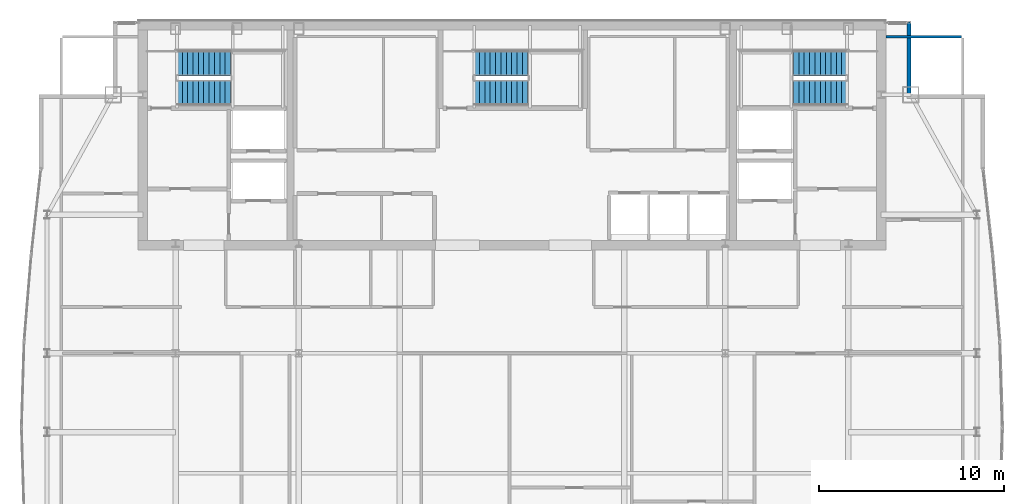
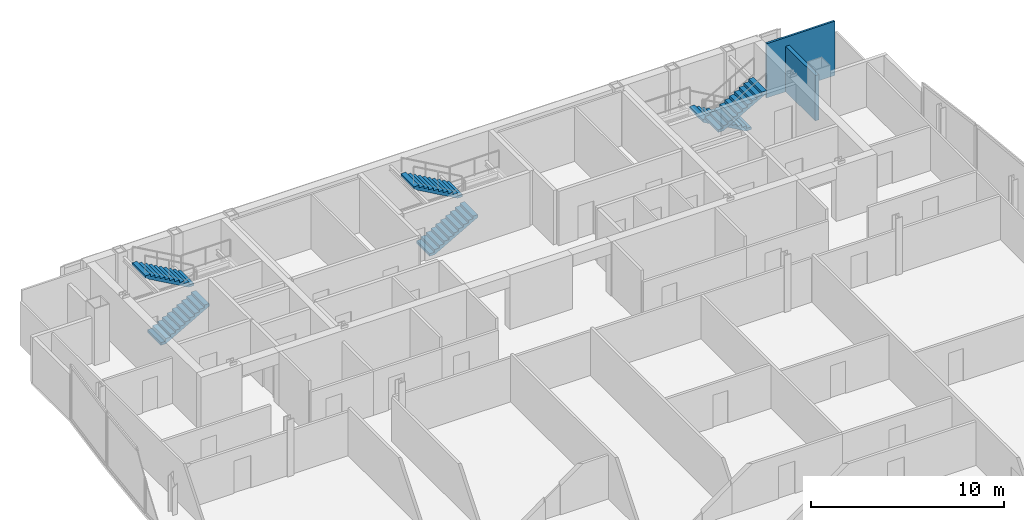
# One storey, part 23 of 25: 6 stair flights, 2 walls, 3 elements without a shape of their own.
"""IFC4 building model written with IfcOpenShell, lengths in metres."""

import ifcopenshell
import ifcopenshell.guid

model = None  # the IFC model being written
_history = None  # IfcOwnerHistory: only IFC2X3 demands one
_inside = {}  # id of a spatial element -> (the spatial element, [elements in it])
_under = {}  # id of a project, library or spatial element -> (it, [spatial elements below it])
_declared = {}  # id of a project -> (the project, [libraries it declares])
_typed = {}  # id of a type object -> (the type object, [elements of that type])
_made_of = {}  # id of a material, layer set ... -> (it, [elements and type objects made of it])


def new_model(schema):
    """Start an empty IFC model of exactly this schema.

    Asked for "IFC4X3", IfcOpenShell would pick the latest addendum, in which some entities
    have other attributes; the version numbers below select the first issue.
    IFC2X3 requires an IfcOwnerHistory on every rooted entity: one is made here for all.
    """
    global model, _history
    if schema == "IFC4X3":
        model = ifcopenshell.file(schema_version=(4, 3, 0, 0))
    else:
        model = ifcopenshell.file(schema=schema)
    _inside.clear()
    _under.clear()
    _declared.clear()
    _typed.clear()
    _made_of.clear()
    _history = None
    if model.schema == "IFC2X3":
        org = make("IfcOrganization", Name="unknown")
        user = make(
            "IfcPersonAndOrganization",
            ThePerson=make("IfcPerson", FamilyName="unknown"),
            TheOrganization=org,
        )
        app = make(
            "IfcApplication",
            ApplicationDeveloper=org,
            Version="unknown",
            ApplicationFullName="unknown",
            ApplicationIdentifier="unknown",
        )
        _history = make(
            "IfcOwnerHistory",
            OwningUser=user,
            OwningApplication=app,
            ChangeAction="ADDED",
            CreationDate=0,
        )
    return model


def make(cls, **values):
    """One entity of the class cls with the attributes given. An attribute that is None is left unset."""
    return model.create_entity(
        cls, **{name: value for name, value in values.items() if value is not None}
    )


def rooted(cls, **values):
    """An entity with a GlobalId (a new one), such as an element, a storey or a relation."""
    return make(cls, GlobalId=ifcopenshell.guid.new(), OwnerHistory=_history, **values)


def si_unit(unit_type, name, prefix=None):
    """IfcSIUnit, for example si_unit("LENGTHUNIT", "METRE", prefix="MILLI")."""
    return make("IfcSIUnit", UnitType=unit_type, Prefix=prefix, Name=name)


def assignment(units):
    """IfcUnitAssignment: the units of a project."""
    return None if units is None else make("IfcUnitAssignment", Units=units)


def point(xyz):
    """IfcCartesianPoint."""
    return None if xyz is None else make("IfcCartesianPoint", Coordinates=xyz)


def direction(xyz):
    """IfcDirection."""
    return None if xyz is None else make("IfcDirection", DirectionRatios=xyz)


def frame(location, z_axis=None, x_axis=None):
    """IfcAxis2Placement3D, a coordinate frame: its origin and axes. An axis left out is left unset."""
    return make(
        "IfcAxis2Placement3D",
        Location=point(location),
        Axis=direction(z_axis),
        RefDirection=direction(x_axis),
    )


def frame_2d(location, x_axis=None):
    """IfcAxis2Placement2D, a coordinate frame in the plane: its origin and x axis."""
    return make(
        "IfcAxis2Placement2D", Location=point(location), RefDirection=direction(x_axis)
    )


def origin():
    """The frame at (0, 0, 0) with its axes left unset."""
    return frame((0.0, 0.0, 0.0))


def place(relative_to, where):
    """IfcLocalPlacement: puts the frame where relative to a parent placement (None: the world)."""
    return make(
        "IfcLocalPlacement", PlacementRelTo=relative_to, RelativePlacement=where
    )


def context(
    kind, dimensions, precision=None, world=None, true_north=None, identifier=None
):
    """IfcGeometricRepresentationContext, for example the 3D "Model" context."""
    return make(
        "IfcGeometricRepresentationContext",
        ContextIdentifier=identifier,
        ContextType=kind,
        CoordinateSpaceDimension=dimensions,
        Precision=precision,
        WorldCoordinateSystem=world,
        TrueNorth=true_north,
    )


def subcontext(parent, identifier, kind, view, scale=None):
    """IfcGeometricRepresentationSubContext, for example "Body" below "Model"."""
    return make(
        "IfcGeometricRepresentationSubContext",
        ContextIdentifier=identifier,
        ContextType=kind,
        ParentContext=parent,
        TargetScale=scale,
        TargetView=view,
    )


def project(units=None, contexts=None):
    """IfcProject with its units and contexts."""
    return rooted(
        "IfcProject",
        Name="project",
        RepresentationContexts=contexts,
        UnitsInContext=assignment(units),
    )


def spatial(cls, under=None, at=None, **own):
    """A site, building, storey or space (cls), placed at a placement, below another one or the project."""
    s = rooted(cls, ObjectPlacement=at, **own)
    if under is not None:
        _under.setdefault(under.id(), (under, []))[1].append(s)
    return s


def polyline(points):
    """IfcPolyline through the points."""
    return make("IfcPolyline", Points=[point(p) for p in points])


def profile(cls, at=None, kind="AREA", **sizes):
    """A parametric profile (cls). Its sizes go by their IFC names, for example OverallWidth=200.0."""
    return make(cls, ProfileType=kind, Position=at, **sizes)


def rectangle(**sizes):
    """IfcRectangleProfileDef."""
    return profile("IfcRectangleProfileDef", **sizes)


def outline(outer, holes=None, kind="AREA"):
    """IfcArbitraryClosedProfileDef: a profile drawn as a closed curve; with holes, ...WithVoids."""
    if holes is None:
        return make("IfcArbitraryClosedProfileDef", ProfileType=kind, OuterCurve=outer)
    return make(
        "IfcArbitraryProfileDefWithVoids",
        ProfileType=kind,
        OuterCurve=outer,
        InnerCurves=holes,
    )


def extrude(swept, where, along, depth):
    """IfcExtrudedAreaSolid: the profile swept, set in the frame where, extruded along a direction by depth."""
    return make(
        "IfcExtrudedAreaSolid",
        SweptArea=swept,
        Position=where,
        ExtrudedDirection=direction(along),
        Depth=depth,
    )


def shape(context_of_items, identifier, shape_type, items):
    """IfcShapeRepresentation: the items that make up one representation, for example the "Body"."""
    return make(
        "IfcShapeRepresentation",
        ContextOfItems=context_of_items,
        RepresentationIdentifier=identifier,
        RepresentationType=shape_type,
        Items=items,
    )


def material(Name=None, Category=None):
    """IfcMaterial."""
    return make("IfcMaterial", Name=Name, Category=Category)


def layer(
    of_material, thickness, ventilated=None, Name=None, Category=None, Priority=None
):
    """IfcMaterialLayer: one layer of a wall or slab, of a material (None: an air gap)."""
    return make(
        "IfcMaterialLayer",
        Material=of_material,
        LayerThickness=thickness,
        IsVentilated=ventilated,
        Name=Name,
        Category=Category,
        Priority=Priority,
    )


def layer_set(layers, Name=None):
    """IfcMaterialLayerSet."""
    return make("IfcMaterialLayerSet", MaterialLayers=layers, LayerSetName=Name)


def made_of(thing, what):
    """Note that an element or type object is made of a material, layer set ...; save() writes the relation."""
    if what is not None:
        _made_of.setdefault(what.id(), (what, []))[1].append(thing)
    return thing


def type_object(cls, material=None, **own):
    """A type object (cls), such as IfcWallType, which elements share."""
    return made_of(rooted(cls, **own), material)


def element(
    cls,
    number,
    at=None,
    inside=None,
    cuts=None,
    type_object=None,
    material=None,
    context=None,
    identifier="Body",
    shape_type=None,
    held_by="IfcProductDefinitionShape",
    body=None,
    shapes=None,
    **own,
):
    """One element of the class cls, such as IfcWall. Its Tag is "e" and its number.

    at: its placement. inside: the storey or other place that contains it. cuts: it is an
    opening in that element (IfcRelVoidsElement). A single representation is given by context,
    identifier, shape_type and body (its items); several are given by shapes. held_by: the class
    of the entity that holds the representations. save() writes the other relations.
    """
    e = rooted(cls, Tag="e%d" % number, ObjectPlacement=at, **own)
    if body is not None:
        shapes = [shape(context, identifier, shape_type, body)]
    if shapes is not None:
        e.Representation = make(held_by, Representations=shapes)
    if inside is not None:
        _inside.setdefault(inside.id(), (inside, []))[1].append(e)
    if cuts is not None:
        rooted(
            "IfcRelVoidsElement", RelatingBuildingElement=cuts, RelatedOpeningElement=e
        )
    if type_object is not None:
        _typed.setdefault(type_object.id(), (type_object, []))[1].append(e)
    return made_of(e, material)


def aggregate(whole, parts):
    """IfcRelAggregates: a whole, such as a stair, and the parts it consists of."""
    return rooted("IfcRelAggregates", RelatingObject=whole, RelatedObjects=parts)


def save(model, path):
    """Write the relations noted so far, then the file.

    IfcRelAggregates (storeys below a building ...), IfcRelContainedInSpatialStructure (elements
    in a storey), IfcRelDefinesByType, IfcRelAssociatesMaterial and IfcRelDeclares: one each for
    every whole, place, type object, material and project.
    """
    for whole, parts in _under.values():
        aggregate(whole, parts)
    for where, things in _inside.values():
        rooted(
            "IfcRelContainedInSpatialStructure",
            RelatedElements=things,
            RelatingStructure=where,
        )
    for kind, things in _typed.values():
        rooted("IfcRelDefinesByType", RelatedObjects=things, RelatingType=kind)
    for what, things in _made_of.values():
        rooted("IfcRelAssociatesMaterial", RelatedObjects=things, RelatingMaterial=what)
    for by, libraries in _declared.values():
        rooted("IfcRelDeclares", RelatingContext=by, RelatedDefinitions=libraries)
    model.write(path)


model = new_model("IFC4")

# Units and contexts
model_context = context("Model", 3, precision=1e-05, world=origin(), true_north=direction((0.0, 1.0)))
body_context = subcontext(model_context, "Body", "Model", "MODEL_VIEW")
ifc_project = project(units=[si_unit("LENGTHUNIT", "METRE"), si_unit("AREAUNIT", "SQUARE_METRE"), si_unit("VOLUMEUNIT", "CUBIC_METRE"), si_unit("PLANEANGLEUNIT", "RADIAN"), si_unit("MASSUNIT", "GRAM", prefix="KILO")], contexts=[model_context])

# Site, building, storey
site_placement = place(None, origin())
site = spatial("IfcSite", under=ifc_project, at=site_placement, CompositionType="ELEMENT")
building_placement = place(site_placement, origin())
building = spatial("IfcBuilding", under=site, at=building_placement, Name="Khoronbel Lancet Exchange", CompositionType="ELEMENT")
storey_placement = place(building_placement, frame((0.0, 0.0, 295.0)))
storey = spatial("IfcBuildingStorey", under=building, at=storey_placement, Name="L76", CompositionType="ELEMENT", Elevation=295.0)

# Walls
ifc_material_1 = material(Name="Precast concrete C40/50", Category="concrete")
ifc_layer_1 = layer(ifc_material_1, 0.25, Name="Precast concrete C40/50")
ifc_layer_set_1 = layer_set([ifc_layer_1], Name="Precast concrete C40/50")
wall_type_1 = type_object("IfcWallType", Name="WL-EXT250", PredefinedType="SOLIDWALL", material=ifc_layer_set_1)
wall_1_placement = place(storey_placement, frame((57.9599609375, 53.6298828125, 0.0), z_axis=(0.0, 0.0, 1.0), x_axis=(0.0, -1.0, 0.0)))
element("IfcWall", 1, at=wall_1_placement, inside=storey, type_object=wall_type_1, Name="Level L76 notched-corner limestone pier 14", PredefinedType="SOLIDWALL", context=body_context, shape_type="SweptSolid", body=[
    extrude(rectangle(XDim=3.909912109375, YDim=0.219970703125, at=frame_2d((1.955078125, 0.0))), origin(), (0.0, 0.0, 1.0), 2.8798828125),
])
ifc_material_2 = material(Name="Acoustic Metal-Stud & Mineral-Wool Gypsum Partition 120 mm", Category="gypsum")
ifc_layer_2 = layer(ifc_material_2, 0.1201171875, Name="Acoustic Metal-Stud & Mineral-Wool Gypsum Partition 120 mm")
ifc_layer_set_2 = layer_set([ifc_layer_2], Name="Acoustic Metal-Stud & Mineral-Wool Gypsum Partition 120 mm")
wall_type_2 = type_object("IfcWallType", Name="WL-PRT120", PredefinedType="PARTITIONING", material=ifc_layer_set_2)
wall_2_placement = place(storey_placement, frame((56.699951171875, 52.840087890625, 0.0), z_axis=(0.0, 0.0, 1.0), x_axis=(1.0, 0.0, 0.0)))
element("IfcWall", 2, at=wall_2_placement, inside=storey, type_object=wall_type_2, Name="Level L76 interior partition PW-LIN-NE", PredefinedType="PARTITIONING", context=body_context, shape_type="SweptSolid", body=[
    extrude(rectangle(XDim=4.10498046875, YDim=0.1201171875, at=frame_2d((2.052490234375, 0.0))), origin(), (0.0, 0.0, 1.0), 3.43994140625),
])

# Stair, stair flights
ifc_material_3 = material(Name="Concrete C40/50", Category="concrete")
stair_type = type_object("IfcStairType", Name="STR-CORE150", PredefinedType="HALF_TURN_STAIR", material=ifc_material_3)
stair_1_placement = place(storey_placement, origin())
stair_1 = element("IfcStair", 3, at=stair_1_placement, inside=storey, type_object=stair_type, Name="L76 Protected Exit Stair ST1", PredefinedType="HALF_TURN_STAIR")
stair_flight_type = type_object("IfcStairFlightType", Name="STF-150", PredefinedType="STRAIGHT", material=ifc_material_3)
stair_flight_1_placement = place(storey_placement, frame((18.300048828125, 49.81005859375, 0.0), z_axis=(0.0, 0.0, 1.0), x_axis=(1.0, 0.0, 0.0)))
stair_flight_1 = element("IfcStairFlight", 4, at=stair_flight_1_placement, type_object=stair_flight_type, Name="ST1 flight 1", NumberOfRisers=11, NumberOfTreads=10, PredefinedType="STRAIGHT", RiserHeight=0.163636364, TreadLength=0.29, context=body_context, shape_type="SweptSolid", body=[
    extrude(outline(polyline([(0.0, 0.0), (0.0, 0.16357421875), (0.2900390625, 0.16357421875), (0.2900390625, 0.327392578125), (0.580078125, 0.327392578125), (0.580078125, 0.490966796875), (0.8701171875, 0.490966796875), (0.8701171875, 0.654541015625), (1.159912109375, 0.654541015625), (1.159912109375, 0.818115234375), (1.449951171875, 0.818115234375), (1.449951171875, 0.98193359375), (1.739990234375, 0.98193359375), (1.739990234375, 1.1455078125), (2.030029296875, 1.1455078125), (2.030029296875, 1.30908203125), (2.320068359375, 1.30908203125), (2.320068359375, 1.47265625), (2.610107421875, 1.47265625), (2.610107421875, 1.636474609375), (2.89990234375, 1.636474609375), (2.89990234375, 1.800048828125), (2.89990234375, 1.46435546875), (0.304931640625, 0.0), (0.0, 0.0)])), frame((0.0, 0.68994140625, 0.0), z_axis=(0.0, -1.0, 0.0), x_axis=(1.0, 0.0, 0.0)), (0.0, 0.0, 1.0), 1.3798828125),
])
stair_flight_2_placement = place(storey_placement, frame((21.199951171875, 51.409912109375, 1.800048828125), z_axis=(0.0, 0.0, 1.0), x_axis=(-1.0, 0.0, 0.0)))
stair_flight_2 = element("IfcStairFlight", 5, at=stair_flight_2_placement, type_object=stair_flight_type, Name="ST1 flight 2", NumberOfRisers=11, NumberOfTreads=10, PredefinedType="STRAIGHT", RiserHeight=0.163636364, TreadLength=0.29, context=body_context, shape_type="SweptSolid", body=[
    extrude(outline(polyline([(0.0, 0.0), (0.0, 0.16357421875), (0.2900390625, 0.16357421875), (0.2900390625, 0.327392578125), (0.580078125, 0.327392578125), (0.580078125, 0.490966796875), (0.8701171875, 0.490966796875), (0.8701171875, 0.654541015625), (1.159912109375, 0.654541015625), (1.159912109375, 0.818115234375), (1.449951171875, 0.818115234375), (1.449951171875, 0.98193359375), (1.739990234375, 0.98193359375), (1.739990234375, 1.1455078125), (2.030029296875, 1.1455078125), (2.030029296875, 1.30908203125), (2.320068359375, 1.30908203125), (2.320068359375, 1.47265625), (2.610107421875, 1.47265625), (2.610107421875, 1.636474609375), (2.89990234375, 1.636474609375), (2.89990234375, 1.800048828125), (2.89990234375, 1.46435546875), (0.304931640625, 0.0), (0.0, 0.0)])), frame((0.0, 0.68994140625, 0.0), z_axis=(0.0, -1.0, 0.0), x_axis=(1.0, 0.0, 0.0)), (0.0, 0.0, 1.0), 1.3798828125),
])
aggregate(stair_1, [stair_flight_1, stair_flight_2])

stair_2_placement = place(storey_placement, origin())
stair_2 = element("IfcStair", 6, at=stair_2_placement, inside=storey, type_object=stair_type, Name="L76 Protected Exit Stair ST2", PredefinedType="HALF_TURN_STAIR")
stair_flight_3_placement = place(storey_placement, frame((54.60009765625, 51.409912109375, 0.0), z_axis=(0.0, 0.0, 1.0), x_axis=(-1.0, 0.0, 0.0)))
stair_flight_3 = element("IfcStairFlight", 7, at=stair_flight_3_placement, type_object=stair_flight_type, Name="ST2 flight 1", NumberOfRisers=11, NumberOfTreads=10, PredefinedType="STRAIGHT", RiserHeight=0.163636364, TreadLength=0.29, context=body_context, shape_type="SweptSolid", body=[
    extrude(outline(polyline([(0.0, 0.0), (0.0, 0.16357421875), (0.2900390625, 0.16357421875), (0.2900390625, 0.327392578125), (0.580078125, 0.327392578125), (0.580078125, 0.490966796875), (0.8701171875, 0.490966796875), (0.8701171875, 0.654541015625), (1.159912109375, 0.654541015625), (1.159912109375, 0.818115234375), (1.449951171875, 0.818115234375), (1.449951171875, 0.98193359375), (1.739990234375, 0.98193359375), (1.739990234375, 1.1455078125), (2.030029296875, 1.1455078125), (2.030029296875, 1.30908203125), (2.320068359375, 1.30908203125), (2.320068359375, 1.47265625), (2.610107421875, 1.47265625), (2.610107421875, 1.636474609375), (2.89990234375, 1.636474609375), (2.89990234375, 1.800048828125), (2.89990234375, 1.46435546875), (0.304931640625, 0.0), (0.0, 0.0)])), frame((0.0, 0.68994140625, 0.0), z_axis=(0.0, -1.0, 0.0), x_axis=(1.0, 0.0, 0.0)), (0.0, 0.0, 1.0), 1.3798828125),
])
stair_flight_4_placement = place(storey_placement, frame((51.699951171875, 49.81005859375, 1.800048828125), z_axis=(0.0, 0.0, 1.0), x_axis=(1.0, 0.0, 0.0)))
stair_flight_4 = element("IfcStairFlight", 8, at=stair_flight_4_placement, type_object=stair_flight_type, Name="ST2 flight 2", NumberOfRisers=11, NumberOfTreads=10, PredefinedType="STRAIGHT", RiserHeight=0.163636364, TreadLength=0.29, context=body_context, shape_type="SweptSolid", body=[
    extrude(outline(polyline([(0.0, 0.0), (0.0, 0.16357421875), (0.2900390625, 0.16357421875), (0.2900390625, 0.327392578125), (0.580078125, 0.327392578125), (0.580078125, 0.490966796875), (0.8701171875, 0.490966796875), (0.8701171875, 0.654541015625), (1.159912109375, 0.654541015625), (1.159912109375, 0.818115234375), (1.449951171875, 0.818115234375), (1.449951171875, 0.98193359375), (1.739990234375, 0.98193359375), (1.739990234375, 1.1455078125), (2.030029296875, 1.1455078125), (2.030029296875, 1.30908203125), (2.320068359375, 1.30908203125), (2.320068359375, 1.47265625), (2.610107421875, 1.47265625), (2.610107421875, 1.636474609375), (2.89990234375, 1.636474609375), (2.89990234375, 1.800048828125), (2.89990234375, 1.46435546875), (0.304931640625, 0.0), (0.0, 0.0)])), frame((0.0, 0.68994140625, 0.0), z_axis=(0.0, -1.0, 0.0), x_axis=(1.0, 0.0, 0.0)), (0.0, 0.0, 1.0), 1.3798828125),
])
aggregate(stair_2, [stair_flight_3, stair_flight_4])

stair_3_placement = place(storey_placement, origin())
stair_3 = element("IfcStair", 9, at=stair_3_placement, inside=storey, type_object=stair_type, Name="L76 Protected Exit Stair ST3", PredefinedType="HALF_TURN_STAIR")
stair_flight_5_placement = place(storey_placement, frame((34.39990234375, 49.81005859375, 0.0), z_axis=(0.0, 0.0, 1.0), x_axis=(1.0, 0.0, 0.0)))
stair_flight_5 = element("IfcStairFlight", 10, at=stair_flight_5_placement, type_object=stair_flight_type, Name="ST3 flight 1", NumberOfRisers=11, NumberOfTreads=10, PredefinedType="STRAIGHT", RiserHeight=0.163636364, TreadLength=0.29, context=body_context, shape_type="SweptSolid", body=[
    extrude(outline(polyline([(0.0, 0.0), (0.0, 0.16357421875), (0.2900390625, 0.16357421875), (0.2900390625, 0.327392578125), (0.580078125, 0.327392578125), (0.580078125, 0.490966796875), (0.8701171875, 0.490966796875), (0.8701171875, 0.654541015625), (1.159912109375, 0.654541015625), (1.159912109375, 0.818115234375), (1.449951171875, 0.818115234375), (1.449951171875, 0.98193359375), (1.739990234375, 0.98193359375), (1.739990234375, 1.1455078125), (2.030029296875, 1.1455078125), (2.030029296875, 1.30908203125), (2.320068359375, 1.30908203125), (2.320068359375, 1.47265625), (2.610107421875, 1.47265625), (2.610107421875, 1.636474609375), (2.89990234375, 1.636474609375), (2.89990234375, 1.800048828125), (2.89990234375, 1.46435546875), (0.304931640625, 0.0), (0.0, 0.0)])), frame((0.0, 0.68994140625, 0.0), z_axis=(0.0, -1.0, 0.0), x_axis=(1.0, 0.0, 0.0)), (0.0, 0.0, 1.0), 1.3798828125),
])
stair_flight_6_placement = place(storey_placement, frame((37.300048828125, 51.409912109375, 1.800048828125), z_axis=(0.0, 0.0, 1.0), x_axis=(-1.0, 0.0, 0.0)))
stair_flight_6 = element("IfcStairFlight", 11, at=stair_flight_6_placement, type_object=stair_flight_type, Name="ST3 flight 2", NumberOfRisers=11, NumberOfTreads=10, PredefinedType="STRAIGHT", RiserHeight=0.163636364, TreadLength=0.29, context=body_context, shape_type="SweptSolid", body=[
    extrude(outline(polyline([(0.0, 0.0), (0.0, 0.16357421875), (0.2900390625, 0.16357421875), (0.2900390625, 0.327392578125), (0.580078125, 0.327392578125), (0.580078125, 0.490966796875), (0.8701171875, 0.490966796875), (0.8701171875, 0.654541015625), (1.159912109375, 0.654541015625), (1.159912109375, 0.818115234375), (1.449951171875, 0.818115234375), (1.449951171875, 0.98193359375), (1.739990234375, 0.98193359375), (1.739990234375, 1.1455078125), (2.030029296875, 1.1455078125), (2.030029296875, 1.30908203125), (2.320068359375, 1.30908203125), (2.320068359375, 1.47265625), (2.610107421875, 1.47265625), (2.610107421875, 1.636474609375), (2.89990234375, 1.636474609375), (2.89990234375, 1.800048828125), (2.89990234375, 1.46435546875), (0.304931640625, 0.0), (0.0, 0.0)])), frame((0.0, 0.68994140625, 0.0), z_axis=(0.0, -1.0, 0.0), x_axis=(1.0, 0.0, 0.0)), (0.0, 0.0, 1.0), 1.3798828125),
])
aggregate(stair_3, [stair_flight_5, stair_flight_6])

save(model, "model.ifc")
